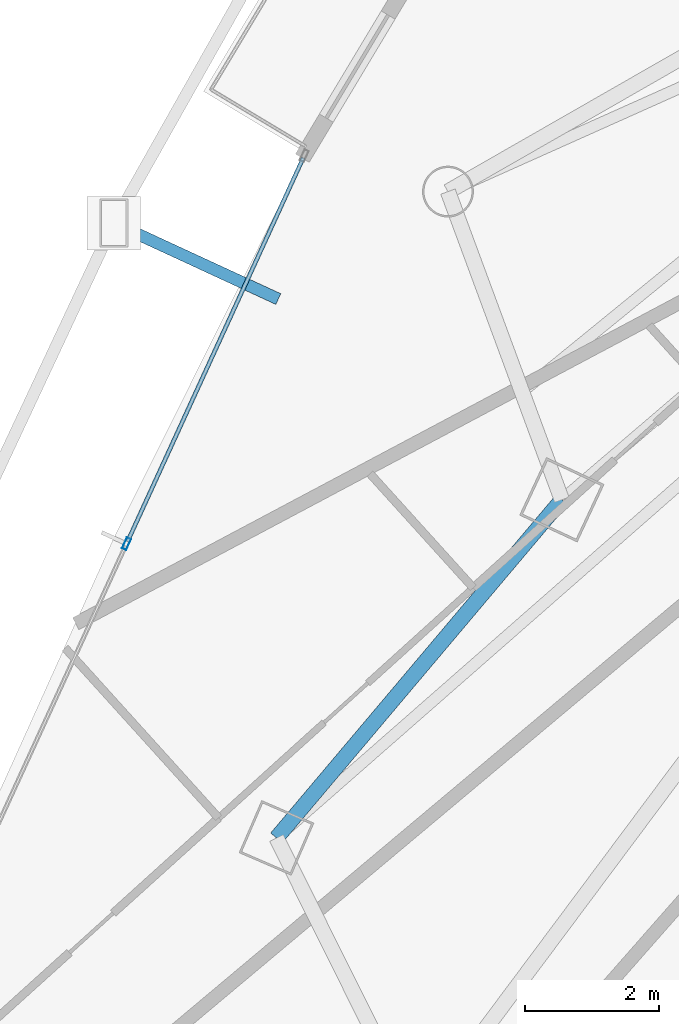
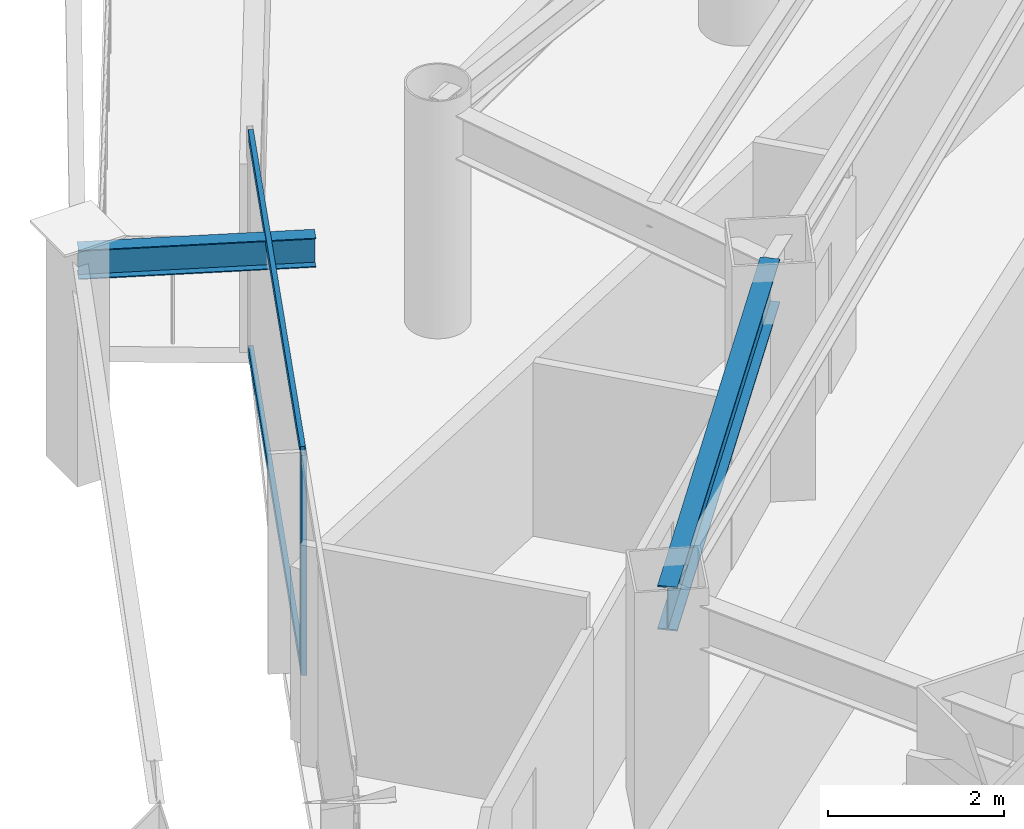
# One storey, part 9 of 38: 3 members, 2 beams, 1 element without a shape of its own.
"""IFC4 building model written with IfcOpenShell, lengths in metres."""

from ifc_helpers import new_model, si_unit, direction, frame, origin, origin_2d, place, context, subcontext, project, spatial, hollow_rectangle, i_section, extrude, material, layer, layer_set, material_profile, profile_set, type_object, element, aggregate, save


model = new_model("IFC4")

# Units and contexts
model_context = context("Model", 3, precision=1e-05, world=origin(), true_north=direction((0.0, 1.0)))
body_context = subcontext(model_context, "Body", "Model", "MODEL_VIEW")
ifc_project = project(units=[si_unit("LENGTHUNIT", "METRE"), si_unit("AREAUNIT", "SQUARE_METRE"), si_unit("VOLUMEUNIT", "CUBIC_METRE"), si_unit("PLANEANGLEUNIT", "RADIAN"), si_unit("MASSUNIT", "GRAM", prefix="KILO")], contexts=[model_context])

# Site, building, storey
site_placement = place(None, origin())
site = spatial("IfcSite", under=ifc_project, at=site_placement, CompositionType="ELEMENT")
building_placement = place(site_placement, origin())
building = spatial("IfcBuilding", under=site, at=building_placement, Name="Orvanel Arch Residences", CompositionType="ELEMENT")
storey_placement = place(building_placement, frame((0.0, 0.0, 50.0)))
storey = spatial("IfcBuildingStorey", under=building, at=storey_placement, Name="L13", CompositionType="ELEMENT", Elevation=50.0)

# Curtain wall, member
ifc_material_1 = material(Name="Bronze-anodised aluminium AA6063-T6", Category="aluminium")
ifc_layer = layer(ifc_material_1, 0.179931640625)
ifc_layer_set = layer_set([ifc_layer], Name="Bronze-anodised aluminium AA6063-T6")
curtain_wall_type = type_object("IfcCurtainWallType", Name="CW2-LOW-SYS", PredefinedType="NOTDEFINED", material=ifc_layer_set)
curtain_wall_placement = place(storey_placement, origin())
curtain_wall = element("IfcCurtainWall", 1, at=curtain_wall_placement, inside=storey, type_object=curtain_wall_type, Name="L13 CW2-LOW-SYS Unitised Curtain Wall", PredefinedType="NOTDEFINED")
ifc_material_profile_1 = material_profile(ifc_material_1, hollow_rectangle(XDim=0.070068359375, YDim=0.179931640625, WallThickness=0.00439453125, at=origin_2d()), Name="ALU180x70x4.5")
ifc_profile_set_1 = profile_set([ifc_material_profile_1], Name="Bronze-anodised aluminium AA6063-T6")
member_type_1 = type_object("IfcMemberType", Name="MUL-180x70", PredefinedType="MULLION", material=ifc_profile_set_1)
member_1_placement = place(storey_placement, frame((9.849609375, 18.9833984375, 0.0), z_axis=(0.0, 0.0, 1.0), x_axis=(0.909193369398, -0.416374131092, 0.0)))
member_1 = element("IfcMember", 2, at=member_1_placement, type_object=member_type_1, Name="CW-S2 mullion 2", PredefinedType="MULLION", context=body_context, shape_type="SweptSolid", body=[
    extrude(hollow_rectangle(XDim=0.070068359375, YDim=0.179931640625, WallThickness=0.00439453125, at=origin_2d()), origin(), (0.0, 0.0, 1.0), 3.06005859375),
])

# Beams
ifc_material_2 = material(Name="Structural steel AS/NZS 3679.1 Grade 300 (300 MPa)", Category="steel")
ifc_material_profile_2 = material_profile(ifc_material_2, i_section(OverallWidth=0.177978515625, OverallDepth=0.406005859375, WebThickness=0.0078125, FlangeThickness=0.0126953125, at=origin_2d()), Name="410UB59.7")
ifc_profile_set_2 = profile_set([ifc_material_profile_2], Name="Structural steel AS/NZS 3679.1 Grade 300 (300 MPa)")
beam_type_1 = type_object("IfcBeamType", Name="OB-410UB-EXT", PredefinedType="SPANDREL", material=ifc_profile_set_2)
beam_1_placement = place(storey_placement, frame((12.1220703125, 22.64697265625, 2.85693359375), z_axis=(-0.907803942722, 0.419394803948, 0.0), x_axis=(-0.419394803948, -0.907803942722, 0.0)))
element("IfcBeam", 3, at=beam_1_placement, inside=storey, type_object=beam_type_1, Name="L13 Outer Frame Radial Tie Beam 03", PredefinedType="SPANDREL", context=body_context, shape_type="SweptSolid", body=[
    extrude(i_section(OverallWidth=0.177978515625, OverallDepth=0.406005859375, WebThickness=0.0078125, FlangeThickness=0.0126953125, at=origin_2d()), origin(), (0.0, 0.0, 1.0), 2.71337890625),
])
ifc_material_profile_3 = material_profile(ifc_material_2, i_section(OverallWidth=0.22900390625, OverallDepth=0.612060546875, WebThickness=0.011962890625, FlangeThickness=0.01953125, at=origin_2d()), Name="610UB125")
ifc_profile_set_3 = profile_set([ifc_material_profile_3], Name="Structural steel AS/NZS 3679.1 Grade 300 (300 MPa)")
beam_type_2 = type_object("IfcBeamType", Name="SP-610UB", PredefinedType="SPANDREL", material=ifc_profile_set_3)
beam_2_placement = place(storey_placement, frame((16.366943359375, 19.64208984375, 2.75390625), z_axis=(-0.644950329775, -0.764224490659, 0.0), x_axis=(0.764224490659, -0.644950329775, 0.0)))
element("IfcBeam", 4, at=beam_2_placement, inside=storey, type_object=beam_type_2, Name="L13 Perimeter Spandrel Beam 01", PredefinedType="SPANDREL", context=body_context, shape_type="SweptSolid", body=[
    extrude(i_section(OverallWidth=0.22900390625, OverallDepth=0.612060546875, WebThickness=0.011962890625, FlangeThickness=0.01953125, at=origin_2d()), origin(), (0.0, 0.0, 1.0), 6.623779296875),
])

# Member
ifc_material_profile_4 = material_profile(ifc_material_1, hollow_rectangle(XDim=0.06005859375, YDim=0.135009765625, WallThickness=0.00390625, at=origin_2d()), Name="ALU135x60x4")
ifc_profile_set_4 = profile_set([ifc_material_profile_4], Name="Bronze-anodised aluminium AA6063-T6")
member_type_2 = type_object("IfcMemberType", Name="TRN-135x60", PredefinedType="USERDEFINED", material=ifc_profile_set_4)
member_2_placement = place(storey_placement, frame((12.494873046875, 24.75927734375, 0.030029296875), z_axis=(-0.416377925515, -0.909191631695, 0.0), x_axis=(0.909191631695, -0.416377925515, 0.0)))
member_2 = element("IfcMember", 5, at=member_2_placement, type_object=member_type_2, Name="CW-S2 transom 1.1", ObjectType="TRANSOM", PredefinedType="USERDEFINED", context=body_context, shape_type="SweptSolid", body=[
    extrude(hollow_rectangle(XDim=0.06005859375, YDim=0.135009765625, WallThickness=0.00390625, at=origin_2d()), origin(), (0.0, 0.0, 1.0), 6.31787109375),
])

member_3_placement = place(storey_placement, frame((12.494873046875, 24.75927734375, 3.030029296875), z_axis=(-0.416377925515, -0.909191631695, 0.0), x_axis=(0.909191631695, -0.416377925515, 0.0)))
member_3 = element("IfcMember", 6, at=member_3_placement, type_object=member_type_2, Name="CW-S2 transom 1.2", ObjectType="TRANSOM", PredefinedType="USERDEFINED", context=body_context, shape_type="SweptSolid", body=[
    extrude(hollow_rectangle(XDim=0.06005859375, YDim=0.135009765625, WallThickness=0.00390625, at=origin_2d()), origin(), (0.0, 0.0, 1.0), 6.31787109375),
])

aggregate(curtain_wall, [member_1, member_2, member_3])

save(model, "model.ifc")
